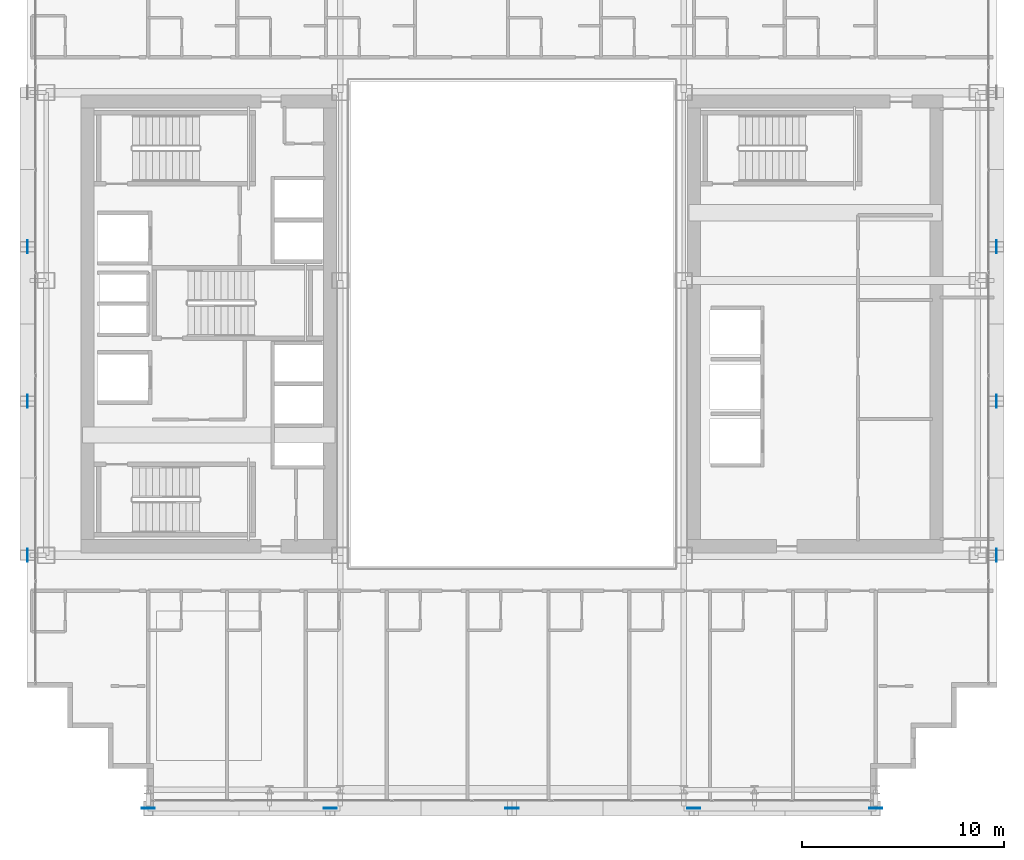
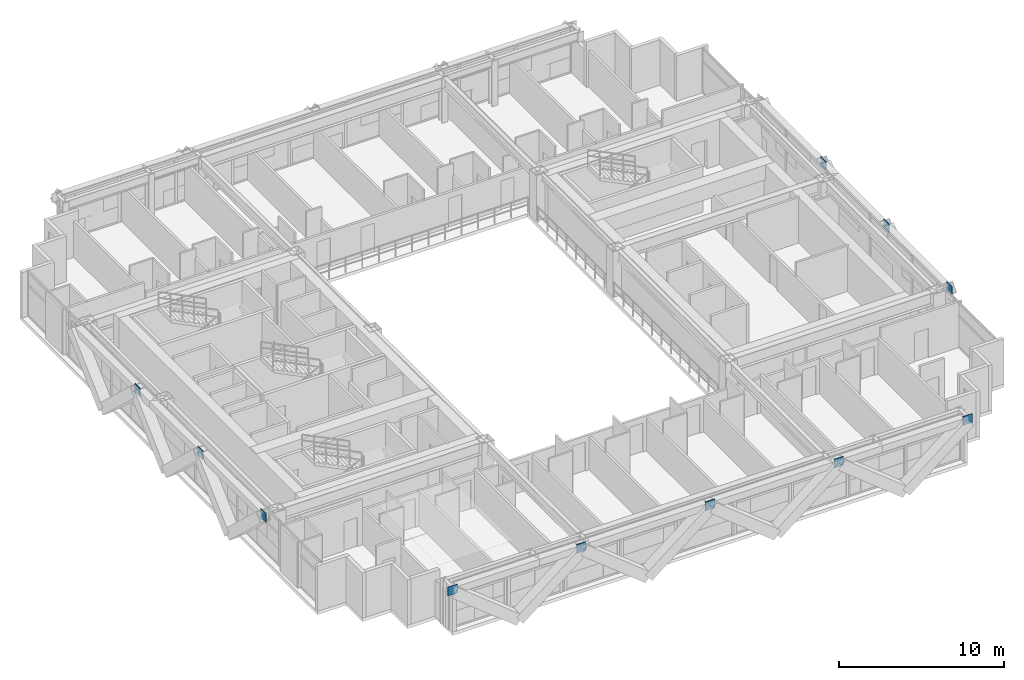
# One storey, part 25 of 36: 11 plates.
"""IFC4 building model written with IfcOpenShell, lengths in metres."""

from ifc_helpers import new_model, si_unit, direction, frame, origin, origin_2d, place, context, subcontext, project, spatial, rectangle, extrude, source, transform, mapped, material, layer, layer_set, type_object, element, save


model = new_model("IFC4")

# Units and contexts
model_context = context("Model", 3, precision=1e-05, world=origin(), true_north=direction((0.0, 1.0)))
body_context = subcontext(model_context, "Body", "Model", "MODEL_VIEW")
ifc_project = project(units=[si_unit("LENGTHUNIT", "METRE"), si_unit("AREAUNIT", "SQUARE_METRE"), si_unit("VOLUMEUNIT", "CUBIC_METRE"), si_unit("PLANEANGLEUNIT", "RADIAN"), si_unit("MASSUNIT", "GRAM", prefix="KILO")], contexts=[model_context])

# Site, building, storey
site_placement = place(None, origin())
site = spatial("IfcSite", under=ifc_project, at=site_placement, CompositionType="ELEMENT")
building_placement = place(site_placement, origin())
building = spatial("IfcBuilding", under=site, at=building_placement, Name="Ocotamira Hotel", CompositionType="ELEMENT")
storey_placement = place(building_placement, frame((0.0, 0.0, 136.800048828125)))
storey = spatial("IfcBuildingStorey", under=building, at=storey_placement, Name="L34", CompositionType="ELEMENT", Elevation=136.800048828125)

# Plates
ifc_material = material(Name="Pale-metal coated steel ASTM A572 Grade 50", Category="steel")
ifc_layer = layer(ifc_material, 0.0400390625)
ifc_layer_set = layer_set([ifc_layer], Name="Pale-metal coated steel ASTM A572 Grade 50")
plate_type = type_object("IfcPlateType", Name="PLT-GUSSET-40", PredefinedType="SHEET", material=ifc_layer_set)
shared_shape_1 = source(origin(), body_context, "Body", "SweptSolid", [
    extrude(rectangle(XDim=0.64990234375, YDim=0.0400390625, at=origin_2d()), origin(), (0.0, 0.0, 1.0), 0.64990234375),
])
for number, where, z_axis, x_axis, name in (
    (1, (14.0, 2.030029296875, 2.784912109375), (0.0, 0.0, 1.0), (-1.0, 0.0, 0.0), "L34 Exoskeleton Diagrid S0.1 End Gusset B"),
    (2, (23.0, 2.030029296875, 2.784912109375), (0.0, 0.0, 1.0), (1.0, 0.0, 0.0), "L34 Exoskeleton Diagrid S0.2 End Gusset B"),
    (3, (32.0, 2.030029296875, 2.784912109375), (0.0, 0.0, 1.0), (1.0, 0.0, 0.0), "L34 Exoskeleton Diagrid S1.2 End Gusset B"),
    (4, (41.0, 2.030029296875, 2.784912109375), (0.0, 0.0, 1.0), (1.0, 0.0, 0.0), "L34 Exoskeleton Diagrid S2.2 End Gusset B"),
    (5, (50.0, 2.030029296875, 2.784912109375), (0.0, 0.0, 1.0), (1.0, 0.0, 0.0), "L34 Exoskeleton Diagrid S3.2 End Gusset B"),
):
    element("IfcPlate", number, at=place(storey_placement, frame(where, z_axis=z_axis, x_axis=x_axis)), inside=storey, type_object=plate_type, Name=name, PredefinedType="SHEET", context=body_context, shape_type="MappedRepresentation", body=[
        mapped(shared_shape_1, transform((0.0, 0.0, 0.0), scale=1.0)),
    ])
shared_shape_2 = source(origin(), body_context, "Body", "SweptSolid", [
    extrude(rectangle(XDim=0.0400390625, YDim=0.64990234375, at=origin_2d()), origin(), (0.0, 0.0, 1.0), 0.64990234375),
])
for number, where, z_axis, x_axis, name in (
    (6, (8.030029296875, 14.550048828125, 2.784912109375), (0.0, 0.0, 1.0), (1.0, 0.0, 0.0), "L34 Exoskeleton Diagrid W0.1 End Gusset B"),
    (7, (8.030029296875, 22.183349609375, 2.784912109375), (0.0, 0.0, 1.0), (1.0, 0.0, 0.0), "L34 Exoskeleton Diagrid W0.2 End Gusset B"),
    (8, (8.030029296875, 29.816650390625, 2.784912109375), (0.0, 0.0, 1.0), (1.0, 0.0, 0.0), "L34 Exoskeleton Diagrid W1.2 End Gusset B"),
    (9, (55.969970703125, 14.550048828125, 2.784912109375), (0.0, 0.0, 1.0), (1.0, 0.0, 0.0), "L34 Exoskeleton Diagrid E0.1 End Gusset B"),
    (10, (55.969970703125, 22.183349609375, 2.784912109375), (0.0, 0.0, 1.0), (1.0, 0.0, 0.0), "L34 Exoskeleton Diagrid E0.2 End Gusset B"),
    (11, (55.969970703125, 29.816650390625, 2.784912109375), (0.0, 0.0, 1.0), (1.0, 0.0, 0.0), "L34 Exoskeleton Diagrid E1.2 End Gusset B"),
):
    element("IfcPlate", number, at=place(storey_placement, frame(where, z_axis=z_axis, x_axis=x_axis)), inside=storey, type_object=plate_type, Name=name, PredefinedType="SHEET", context=body_context, shape_type="MappedRepresentation", body=[
        mapped(shared_shape_2, transform((0.0, 0.0, 0.0), scale=1.0)),
    ])

save(model, "model.ifc")
